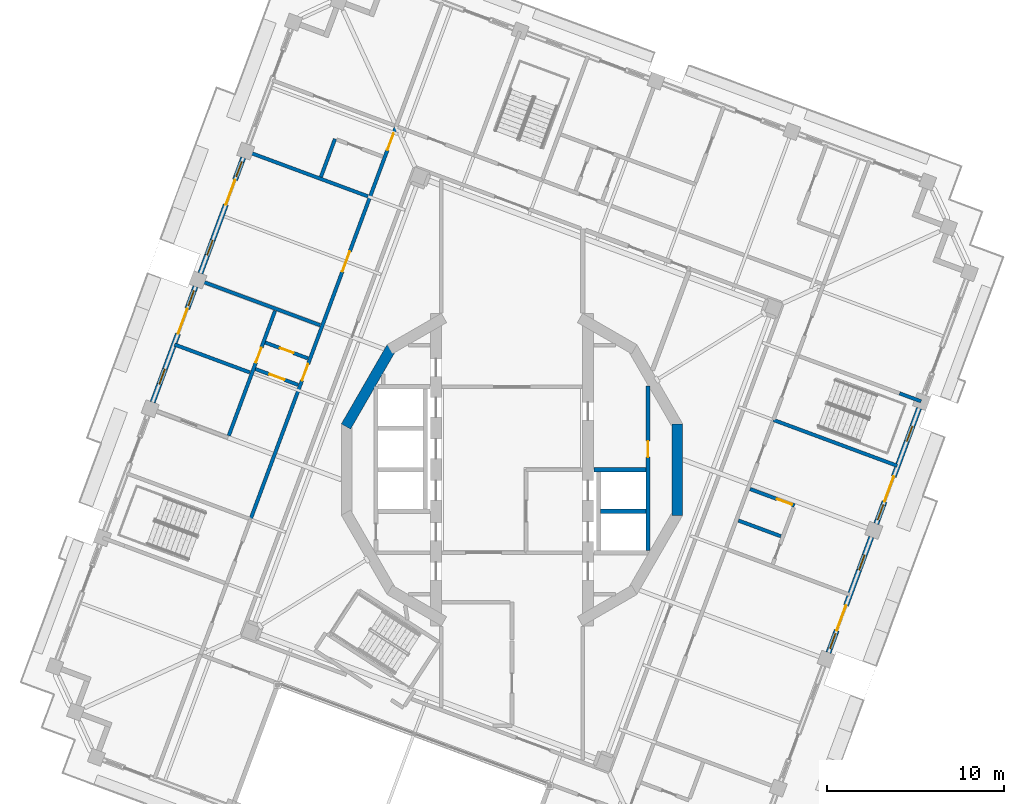
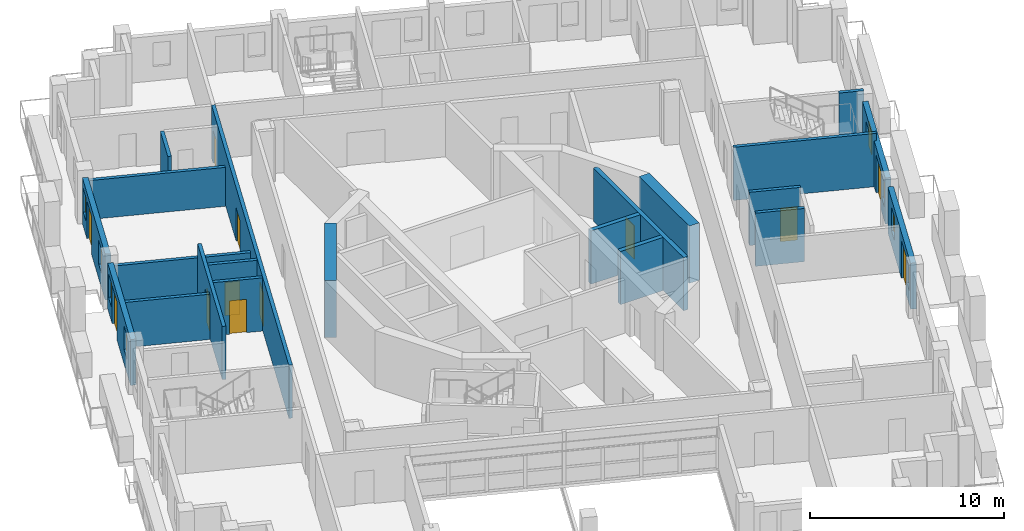
# One storey, part 8 of 19: 21 walls, 12 doors, 8 windows, 20 openings.
"""IFC4 building model written with IfcOpenShell, lengths in metres."""

import ifcopenshell
import ifcopenshell.guid

model = None  # the IFC model being written
_history = None  # IfcOwnerHistory: only IFC2X3 demands one
_inside = {}  # id of a spatial element -> (the spatial element, [elements in it])
_under = {}  # id of a project, library or spatial element -> (it, [spatial elements below it])
_declared = {}  # id of a project -> (the project, [libraries it declares])
_typed = {}  # id of a type object -> (the type object, [elements of that type])
_made_of = {}  # id of a material, layer set ... -> (it, [elements and type objects made of it])


def new_model(schema):
    """Start an empty IFC model of exactly this schema.

    Asked for "IFC4X3", IfcOpenShell would pick the latest addendum, in which some entities
    have other attributes; the version numbers below select the first issue.
    IFC2X3 requires an IfcOwnerHistory on every rooted entity: one is made here for all.
    """
    global model, _history
    if schema == "IFC4X3":
        model = ifcopenshell.file(schema_version=(4, 3, 0, 0))
    else:
        model = ifcopenshell.file(schema=schema)
    _inside.clear()
    _under.clear()
    _declared.clear()
    _typed.clear()
    _made_of.clear()
    _history = None
    if model.schema == "IFC2X3":
        org = make("IfcOrganization", Name="unknown")
        user = make(
            "IfcPersonAndOrganization",
            ThePerson=make("IfcPerson", FamilyName="unknown"),
            TheOrganization=org,
        )
        app = make(
            "IfcApplication",
            ApplicationDeveloper=org,
            Version="unknown",
            ApplicationFullName="unknown",
            ApplicationIdentifier="unknown",
        )
        _history = make(
            "IfcOwnerHistory",
            OwningUser=user,
            OwningApplication=app,
            ChangeAction="ADDED",
            CreationDate=0,
        )
    return model


def make(cls, **values):
    """One entity of the class cls with the attributes given. An attribute that is None is left unset."""
    return model.create_entity(
        cls, **{name: value for name, value in values.items() if value is not None}
    )


def rooted(cls, **values):
    """An entity with a GlobalId (a new one), such as an element, a storey or a relation."""
    return make(cls, GlobalId=ifcopenshell.guid.new(), OwnerHistory=_history, **values)


def si_unit(unit_type, name, prefix=None):
    """IfcSIUnit, for example si_unit("LENGTHUNIT", "METRE", prefix="MILLI")."""
    return make("IfcSIUnit", UnitType=unit_type, Prefix=prefix, Name=name)


def assignment(units):
    """IfcUnitAssignment: the units of a project."""
    return None if units is None else make("IfcUnitAssignment", Units=units)


def point(xyz):
    """IfcCartesianPoint."""
    return None if xyz is None else make("IfcCartesianPoint", Coordinates=xyz)


def direction(xyz):
    """IfcDirection."""
    return None if xyz is None else make("IfcDirection", DirectionRatios=xyz)


def frame(location, z_axis=None, x_axis=None):
    """IfcAxis2Placement3D, a coordinate frame: its origin and axes. An axis left out is left unset."""
    return make(
        "IfcAxis2Placement3D",
        Location=point(location),
        Axis=direction(z_axis),
        RefDirection=direction(x_axis),
    )


def frame_2d(location, x_axis=None):
    """IfcAxis2Placement2D, a coordinate frame in the plane: its origin and x axis."""
    return make(
        "IfcAxis2Placement2D", Location=point(location), RefDirection=direction(x_axis)
    )


def origin():
    """The frame at (0, 0, 0) with its axes left unset."""
    return frame((0.0, 0.0, 0.0))


def place(relative_to, where):
    """IfcLocalPlacement: puts the frame where relative to a parent placement (None: the world)."""
    return make(
        "IfcLocalPlacement", PlacementRelTo=relative_to, RelativePlacement=where
    )


def context(
    kind, dimensions, precision=None, world=None, true_north=None, identifier=None
):
    """IfcGeometricRepresentationContext, for example the 3D "Model" context."""
    return make(
        "IfcGeometricRepresentationContext",
        ContextIdentifier=identifier,
        ContextType=kind,
        CoordinateSpaceDimension=dimensions,
        Precision=precision,
        WorldCoordinateSystem=world,
        TrueNorth=true_north,
    )


def subcontext(parent, identifier, kind, view, scale=None):
    """IfcGeometricRepresentationSubContext, for example "Body" below "Model"."""
    return make(
        "IfcGeometricRepresentationSubContext",
        ContextIdentifier=identifier,
        ContextType=kind,
        ParentContext=parent,
        TargetScale=scale,
        TargetView=view,
    )


def project(units=None, contexts=None):
    """IfcProject with its units and contexts."""
    return rooted(
        "IfcProject",
        Name="project",
        RepresentationContexts=contexts,
        UnitsInContext=assignment(units),
    )


def spatial(cls, under=None, at=None, **own):
    """A site, building, storey or space (cls), placed at a placement, below another one or the project."""
    s = rooted(cls, ObjectPlacement=at, **own)
    if under is not None:
        _under.setdefault(under.id(), (under, []))[1].append(s)
    return s


def profile(cls, at=None, kind="AREA", **sizes):
    """A parametric profile (cls). Its sizes go by their IFC names, for example OverallWidth=200.0."""
    return make(cls, ProfileType=kind, Position=at, **sizes)


def rectangle(**sizes):
    """IfcRectangleProfileDef."""
    return profile("IfcRectangleProfileDef", **sizes)


def extrude(swept, where, along, depth):
    """IfcExtrudedAreaSolid: the profile swept, set in the frame where, extruded along a direction by depth."""
    return make(
        "IfcExtrudedAreaSolid",
        SweptArea=swept,
        Position=where,
        ExtrudedDirection=direction(along),
        Depth=depth,
    )


def shape(context_of_items, identifier, shape_type, items):
    """IfcShapeRepresentation: the items that make up one representation, for example the "Body"."""
    return make(
        "IfcShapeRepresentation",
        ContextOfItems=context_of_items,
        RepresentationIdentifier=identifier,
        RepresentationType=shape_type,
        Items=items,
    )


def material(Name=None, Category=None):
    """IfcMaterial."""
    return make("IfcMaterial", Name=Name, Category=Category)


def layer(
    of_material, thickness, ventilated=None, Name=None, Category=None, Priority=None
):
    """IfcMaterialLayer: one layer of a wall or slab, of a material (None: an air gap)."""
    return make(
        "IfcMaterialLayer",
        Material=of_material,
        LayerThickness=thickness,
        IsVentilated=ventilated,
        Name=Name,
        Category=Category,
        Priority=Priority,
    )


def layer_set(layers, Name=None):
    """IfcMaterialLayerSet."""
    return make("IfcMaterialLayerSet", MaterialLayers=layers, LayerSetName=Name)


def made_of(thing, what):
    """Note that an element or type object is made of a material, layer set ...; save() writes the relation."""
    if what is not None:
        _made_of.setdefault(what.id(), (what, []))[1].append(thing)
    return thing


def type_object(cls, material=None, **own):
    """A type object (cls), such as IfcWallType, which elements share."""
    return made_of(rooted(cls, **own), material)


def element(
    cls,
    number,
    at=None,
    inside=None,
    cuts=None,
    type_object=None,
    material=None,
    context=None,
    identifier="Body",
    shape_type=None,
    held_by="IfcProductDefinitionShape",
    body=None,
    shapes=None,
    **own,
):
    """One element of the class cls, such as IfcWall. Its Tag is "e" and its number.

    at: its placement. inside: the storey or other place that contains it. cuts: it is an
    opening in that element (IfcRelVoidsElement). A single representation is given by context,
    identifier, shape_type and body (its items); several are given by shapes. held_by: the class
    of the entity that holds the representations. save() writes the other relations.
    """
    e = rooted(cls, Tag="e%d" % number, ObjectPlacement=at, **own)
    if body is not None:
        shapes = [shape(context, identifier, shape_type, body)]
    if shapes is not None:
        e.Representation = make(held_by, Representations=shapes)
    if inside is not None:
        _inside.setdefault(inside.id(), (inside, []))[1].append(e)
    if cuts is not None:
        rooted(
            "IfcRelVoidsElement", RelatingBuildingElement=cuts, RelatedOpeningElement=e
        )
    if type_object is not None:
        _typed.setdefault(type_object.id(), (type_object, []))[1].append(e)
    return made_of(e, material)


def fill(opening, filler):
    """IfcRelFillsElement: the door or window that sits in an opening."""
    return rooted(
        "IfcRelFillsElement",
        RelatingOpeningElement=opening,
        RelatedBuildingElement=filler,
    )


def aggregate(whole, parts):
    """IfcRelAggregates: a whole, such as a stair, and the parts it consists of."""
    return rooted("IfcRelAggregates", RelatingObject=whole, RelatedObjects=parts)


def save(model, path):
    """Write the relations noted so far, then the file.

    IfcRelAggregates (storeys below a building ...), IfcRelContainedInSpatialStructure (elements
    in a storey), IfcRelDefinesByType, IfcRelAssociatesMaterial and IfcRelDeclares: one each for
    every whole, place, type object, material and project.
    """
    for whole, parts in _under.values():
        aggregate(whole, parts)
    for where, things in _inside.values():
        rooted(
            "IfcRelContainedInSpatialStructure",
            RelatedElements=things,
            RelatingStructure=where,
        )
    for kind, things in _typed.values():
        rooted("IfcRelDefinesByType", RelatedObjects=things, RelatingType=kind)
    for what, things in _made_of.values():
        rooted("IfcRelAssociatesMaterial", RelatedObjects=things, RelatingMaterial=what)
    for by, libraries in _declared.values():
        rooted("IfcRelDeclares", RelatingContext=by, RelatedDefinitions=libraries)
    model.write(path)


model = new_model("IFC4")

# Units and contexts
model_context = context("Model", 3, precision=1e-05, world=origin(), true_north=direction((0.0, 1.0)))
body_context = subcontext(model_context, "Body", "Model", "MODEL_VIEW")
ifc_project = project(units=[si_unit("LENGTHUNIT", "METRE"), si_unit("AREAUNIT", "SQUARE_METRE"), si_unit("VOLUMEUNIT", "CUBIC_METRE"), si_unit("PLANEANGLEUNIT", "RADIAN"), si_unit("MASSUNIT", "GRAM", prefix="KILO")], contexts=[model_context])

# Site, building, storey
site_placement = place(None, origin())
site = spatial("IfcSite", under=ifc_project, at=site_placement, CompositionType="ELEMENT")
building_placement = place(site_placement, origin())
building = spatial("IfcBuilding", under=site, at=building_placement, Name="Cantera Rosa Tower", CompositionType="ELEMENT")
storey_placement = place(building_placement, frame((0.0, 0.0, 320.5)))
storey = spatial("IfcBuildingStorey", under=building, at=storey_placement, Name="L71", CompositionType="ELEMENT", Elevation=320.5)

# Wall, openings, doors
ifc_material_1 = material(Name="Gypsum board partition")
ifc_layer_1 = layer(ifc_material_1, 0.199951171875)
ifc_layer_set_1 = layer_set([ifc_layer_1], Name="CORRIDOR WALL 200 H3350")
wall_type_1 = type_object("IfcWallType", Name="CORRIDOR WALL 200 H3350", PredefinedType="PARTITIONING", material=ifc_layer_set_1)
wall_1_placement = place(storey_placement, frame((-6.5537109375, 19.438720703125, 0.0), z_axis=(0.0, 0.0, 1.0), x_axis=(-0.347483565428, -0.937686073138, 0.0)))
wall_1 = element("IfcWall", 1, at=wall_1_placement, inside=storey, type_object=wall_type_1, Name="CORRIDOR WALL L71-035", PredefinedType="PARTITIONING", context=body_context, shape_type="SweptSolid", body=[
    extrude(rectangle(XDim=23.730224609375, YDim=0.199951171875, at=frame_2d((11.865234375, 0.0))), origin(), (0.0, 0.0, 1.0), 3.35009765625),
])
opening_1_placement = place(wall_1_placement, frame((7.570068359375, 0.0, 0.0)))
opening_1 = element("IfcOpeningElement", 2, at=opening_1_placement, cuts=wall_1, Name="Opening L71-027", PredefinedType="OPENING", context=body_context, shape_type="SweptSolid", body=[
    extrude(rectangle(XDim=1.199951171875, YDim=2.10009765625, at=frame_2d((0.60009765625, 1.050048828125))), frame((0.0, 0.10986328125, 0.0), z_axis=(0.0, -1.0, 0.0), x_axis=(1.0, 0.0, 0.0)), (0.0, 0.0, 1.0), 0.219970703125),
])
opening_2_placement = place(wall_1_placement, frame((14.360107421875, 0.0, 0.0)))
opening_2 = element("IfcOpeningElement", 3, at=opening_2_placement, cuts=wall_1, Name="Opening L71-028", PredefinedType="OPENING", context=body_context, shape_type="SweptSolid", body=[
    extrude(rectangle(XDim=1.0, YDim=2.10009765625, at=frame_2d((0.5, 1.050048828125))), frame((0.0, 0.10986328125, 0.0), z_axis=(0.0, -1.0, 0.0), x_axis=(1.0, 0.0, 0.0)), (0.0, 0.0, 1.0), 0.219970703125),
])
opening_3_placement = place(wall_1_placement, frame((0.43994140625, 0.0, 0.0)))
opening_3 = element("IfcOpeningElement", 4, at=opening_3_placement, cuts=wall_1, Name="Opening L71-033", PredefinedType="OPENING", context=body_context, shape_type="SweptSolid", body=[
    extrude(rectangle(XDim=1.0, YDim=2.10009765625, at=frame_2d((0.5, 1.050048828125))), frame((0.0, 0.10986328125, 0.0), z_axis=(0.0, -1.0, 0.0), x_axis=(1.0, 0.0, 0.0)), (0.0, 0.0, 1.0), 0.219970703125),
])
ifc_material_2 = material(Name="Timber door leaf", Category="wood")
door_type_1 = type_object("IfcDoorType", Name="ENTRANCE DOOR 1000x2100", OperationType="NOTDEFINED", PredefinedType="DOOR", material=ifc_material_2)
door_1_placement = place(opening_2_placement, origin())
door_1 = element("IfcDoor", 5, at=door_1_placement, inside=storey, type_object=door_type_1, Name="DOOR L71-028", OperationType="NOTDEFINED", OverallHeight=2.10009765625, OverallWidth=1.0, PredefinedType="DOOR", context=body_context, shape_type="SweptSolid", body=[
    extrude(rectangle(XDim=1.0, YDim=2.10009765625, at=frame_2d((0.5, 1.050048828125))), frame((0.0, 0.02490234375, 0.0), z_axis=(0.0, -1.0, 0.0), x_axis=(1.0, 0.0, 0.0)), (0.0, 0.0, 1.0), 0.050048828125),
])
fill(opening_2, door_1)
door_2_placement = place(opening_3_placement, origin())
door_2 = element("IfcDoor", 6, at=door_2_placement, inside=storey, type_object=door_type_1, Name="DOOR L71-033", OperationType="NOTDEFINED", OverallHeight=2.10009765625, OverallWidth=1.0, PredefinedType="DOOR", context=body_context, shape_type="SweptSolid", body=[
    extrude(rectangle(XDim=1.0, YDim=2.10009765625, at=frame_2d((0.5, 1.050048828125))), frame((0.0, 0.02490234375, 0.0), z_axis=(0.0, -1.0, 0.0), x_axis=(1.0, 0.0, 0.0)), (0.0, 0.0, 1.0), 0.050048828125),
])
fill(opening_3, door_2)
ifc_material_3 = material(Name="Timber door leaf", Category="wood")
door_type_2 = type_object("IfcDoorType", Name="ROOM DOOR 1200x2100", OperationType="NOTDEFINED", PredefinedType="DOOR", material=ifc_material_3)
door_3_placement = place(opening_1_placement, origin())
door_3 = element("IfcDoor", 7, at=door_3_placement, inside=storey, type_object=door_type_2, Name="DOOR L71-027", OperationType="NOTDEFINED", OverallHeight=2.10009765625, OverallWidth=1.199951171875, PredefinedType="DOOR", context=body_context, shape_type="SweptSolid", body=[
    extrude(rectangle(XDim=1.199951171875, YDim=2.10009765625, at=frame_2d((0.60009765625, 1.050048828125))), frame((0.0, 0.02490234375, 0.0), z_axis=(0.0, -1.0, 0.0), x_axis=(1.0, 0.0, 0.0)), (0.0, 0.0, 1.0), 0.050048828125),
])
fill(opening_1, door_3)

# Wall, openings, windows, door
ifc_material_4 = material(Name="Hollow clay masonry with cantera stone cladding", Category="masonry")
ifc_layer_2 = layer(ifc_material_4, 0.300048828125)
ifc_layer_set_2 = layer_set([ifc_layer_2], Name="EW-LOGGIA 300 H2890")
wall_type_2 = type_object("IfcWallType", Name="EW-LOGGIA 300 H2890", PredefinedType="SOLIDWALL", material=ifc_layer_set_2)
wall_2_placement = place(storey_placement, frame((-15.212646484375, 17.65625, 0.0), z_axis=(0.0, 0.0, 1.0), x_axis=(-0.347502316452, -0.937679124253, 0.0)))
wall_2 = element("IfcWall", 8, at=wall_2_placement, inside=storey, type_object=wall_type_2, Name="EN-L71-W08", PredefinedType="SOLIDWALL", context=body_context, shape_type="SweptSolid", body=[
    extrude(rectangle(XDim=6.97998046875, YDim=0.300048828125, at=frame_2d((3.489990234375, 0.0))), origin(), (0.0, 0.0, 1.0), 2.889892578125),
])
opening_4_placement = place(wall_2_placement, frame((0.2451171875, 0.0, 0.89990234375)))
opening_4 = element("IfcOpeningElement", 9, at=opening_4_placement, cuts=wall_2, Name="Opening L71-W16", PredefinedType="OPENING", context=body_context, shape_type="SweptSolid", body=[
    extrude(rectangle(XDim=0.89990234375, YDim=1.5, at=frame_2d((0.449951171875, 0.75))), frame((0.0, 0.159912109375, 0.0), z_axis=(0.0, -1.0, 0.0), x_axis=(1.0, 0.0, 0.0)), (0.0, 0.0, 1.0), 0.320068359375),
])
opening_5_placement = place(wall_2_placement, frame((1.344970703125, 0.0, 0.0)))
opening_5 = element("IfcOpeningElement", 10, at=opening_5_placement, cuts=wall_2, Name="Opening L71-TD17", PredefinedType="OPENING", context=body_context, shape_type="SweptSolid", body=[
    extrude(rectangle(XDim=1.5, YDim=2.39990234375, at=frame_2d((0.75, 1.199951171875))), frame((0.0, 0.159912109375, 0.0), z_axis=(0.0, -1.0, 0.0), x_axis=(1.0, 0.0, 0.0)), (0.0, 0.0, 1.0), 0.320068359375),
])
opening_6_placement = place(wall_2_placement, frame((4.985107421875, 0.0, 0.89990234375)))
opening_6 = element("IfcOpeningElement", 11, at=opening_6_placement, cuts=wall_2, Name="Opening L71-W18", PredefinedType="OPENING", context=body_context, shape_type="SweptSolid", body=[
    extrude(rectangle(XDim=0.89990234375, YDim=1.5, at=frame_2d((0.449951171875, 0.75))), frame((0.0, 0.159912109375, 0.0), z_axis=(0.0, -1.0, 0.0), x_axis=(1.0, 0.0, 0.0)), (0.0, 0.0, 1.0), 0.320068359375),
])
ifc_material_5 = material(Name="Aluminium frame with clear glass", Category="aluminium")
window_type = type_object("IfcWindowType", Name="Residential window 900x1500", PartitioningType="SINGLE_PANEL", PredefinedType="WINDOW", material=ifc_material_5)
window_1_placement = place(opening_4_placement, origin())
window_1 = element("IfcWindow", 12, at=window_1_placement, inside=storey, type_object=window_type, Name="WINDOW L71-W16", OverallHeight=1.5, OverallWidth=0.89990234375, PartitioningType="SINGLE_PANEL", PredefinedType="WINDOW", context=body_context, shape_type="SweptSolid", body=[
    extrude(rectangle(XDim=0.89990234375, YDim=1.5, at=frame_2d((0.449951171875, 0.75))), frame((0.0, 0.030029296875, 0.0), z_axis=(0.0, -1.0, 0.0), x_axis=(1.0, 0.0, 0.0)), (0.0, 0.0, 1.0), 0.06005859375),
])
fill(opening_4, window_1)
window_2_placement = place(opening_6_placement, origin())
window_2 = element("IfcWindow", 13, at=window_2_placement, inside=storey, type_object=window_type, Name="WINDOW L71-W18", OverallHeight=1.5, OverallWidth=0.89990234375, PartitioningType="SINGLE_PANEL", PredefinedType="WINDOW", context=body_context, shape_type="SweptSolid", body=[
    extrude(rectangle(XDim=0.89990234375, YDim=1.5, at=frame_2d((0.449951171875, 0.75))), frame((0.0, 0.030029296875, 0.0), z_axis=(0.0, -1.0, 0.0), x_axis=(1.0, 0.0, 0.0)), (0.0, 0.0, 1.0), 0.06005859375),
])
fill(opening_6, window_2)
ifc_material_6 = material(Name="Aluminium frame with clear glass", Category="aluminium")
door_type_3 = type_object("IfcDoorType", Name="TD-R 1500x2400", OperationType="NOTDEFINED", PredefinedType="DOOR", material=ifc_material_6)
door_4_placement = place(opening_5_placement, origin())
door_4 = element("IfcDoor", 14, at=door_4_placement, inside=storey, type_object=door_type_3, Name="LOGGIA DOOR L71-TD17", OperationType="SLIDING_TO_LEFT", OverallHeight=2.39990234375, OverallWidth=1.5, PredefinedType="DOOR", context=body_context, shape_type="SweptSolid", body=[
    extrude(rectangle(XDim=1.5, YDim=2.39990234375, at=frame_2d((0.75, 1.199951171875))), frame((0.0, 0.02490234375, 0.0), z_axis=(0.0, -1.0, 0.0), x_axis=(1.0, 0.0, 0.0)), (0.0, 0.0, 1.0), 0.050048828125),
])
fill(opening_5, door_4)

wall_3_placement = place(storey_placement, frame((-17.916015625, 10.361083984375, 0.0), z_axis=(0.0, 0.0, 1.0), x_axis=(-0.347502316452, -0.937679124253, 0.0)))
wall_3 = element("IfcWall", 15, at=wall_3_placement, inside=storey, type_object=wall_type_2, Name="EN-L71-W09", PredefinedType="SOLIDWALL", context=body_context, shape_type="SweptSolid", body=[
    extrude(rectangle(XDim=6.97998046875, YDim=0.300048828125, at=frame_2d((3.489990234375, 0.0))), origin(), (0.0, 0.0, 1.0), 2.889892578125),
])
opening_7_placement = place(wall_3_placement, frame((0.2451171875, 0.0, 0.89990234375)))
opening_7 = element("IfcOpeningElement", 16, at=opening_7_placement, cuts=wall_3, Name="Opening L71-W19", PredefinedType="OPENING", context=body_context, shape_type="SweptSolid", body=[
    extrude(rectangle(XDim=0.89990234375, YDim=1.5, at=frame_2d((0.449951171875, 0.75))), frame((0.0, 0.159912109375, 0.0), z_axis=(0.0, -1.0, 0.0), x_axis=(1.0, 0.0, 0.0)), (0.0, 0.0, 1.0), 0.320068359375),
])
opening_8_placement = place(wall_3_placement, frame((1.344970703125, 0.0, 0.0)))
opening_8 = element("IfcOpeningElement", 17, at=opening_8_placement, cuts=wall_3, Name="Opening L71-TD20", PredefinedType="OPENING", context=body_context, shape_type="SweptSolid", body=[
    extrude(rectangle(XDim=1.5, YDim=2.39990234375, at=frame_2d((0.75, 1.199951171875))), frame((0.0, 0.159912109375, 0.0), z_axis=(0.0, -1.0, 0.0), x_axis=(1.0, 0.0, 0.0)), (0.0, 0.0, 1.0), 0.320068359375),
])
opening_9_placement = place(wall_3_placement, frame((4.985107421875, 0.0, 0.89990234375)))
opening_9 = element("IfcOpeningElement", 18, at=opening_9_placement, cuts=wall_3, Name="Opening L71-W21", PredefinedType="OPENING", context=body_context, shape_type="SweptSolid", body=[
    extrude(rectangle(XDim=0.89990234375, YDim=1.5, at=frame_2d((0.449951171875, 0.75))), frame((0.0, 0.159912109375, 0.0), z_axis=(0.0, -1.0, 0.0), x_axis=(1.0, 0.0, 0.0)), (0.0, 0.0, 1.0), 0.320068359375),
])
window_3_placement = place(opening_7_placement, origin())
window_3 = element("IfcWindow", 19, at=window_3_placement, inside=storey, type_object=window_type, Name="WINDOW L71-W19", OverallHeight=1.5, OverallWidth=0.89990234375, PartitioningType="SINGLE_PANEL", PredefinedType="WINDOW", context=body_context, shape_type="SweptSolid", body=[
    extrude(rectangle(XDim=0.89990234375, YDim=1.5, at=frame_2d((0.449951171875, 0.75))), frame((0.0, 0.030029296875, 0.0), z_axis=(0.0, -1.0, 0.0), x_axis=(1.0, 0.0, 0.0)), (0.0, 0.0, 1.0), 0.06005859375),
])
fill(opening_7, window_3)
window_4_placement = place(opening_9_placement, origin())
window_4 = element("IfcWindow", 20, at=window_4_placement, inside=storey, type_object=window_type, Name="WINDOW L71-W21", OverallHeight=1.5, OverallWidth=0.89990234375, PartitioningType="SINGLE_PANEL", PredefinedType="WINDOW", context=body_context, shape_type="SweptSolid", body=[
    extrude(rectangle(XDim=0.89990234375, YDim=1.5, at=frame_2d((0.449951171875, 0.75))), frame((0.0, 0.030029296875, 0.0), z_axis=(0.0, -1.0, 0.0), x_axis=(1.0, 0.0, 0.0)), (0.0, 0.0, 1.0), 0.06005859375),
])
fill(opening_9, window_4)
door_5_placement = place(opening_8_placement, origin())
door_5 = element("IfcDoor", 21, at=door_5_placement, inside=storey, type_object=door_type_3, Name="LOGGIA DOOR L71-TD20", OperationType="SLIDING_TO_LEFT", OverallHeight=2.39990234375, OverallWidth=1.5, PredefinedType="DOOR", context=body_context, shape_type="SweptSolid", body=[
    extrude(rectangle(XDim=1.5, YDim=2.39990234375, at=frame_2d((0.75, 1.199951171875))), frame((0.0, 0.02490234375, 0.0), z_axis=(0.0, -1.0, 0.0), x_axis=(1.0, 0.0, 0.0)), (0.0, 0.0, 1.0), 0.050048828125),
])
fill(opening_8, door_5)

wall_4_placement = place(storey_placement, frame((17.916015625, -10.361083984375, 0.0), z_axis=(0.0, 0.0, 1.0), x_axis=(0.347502316452, 0.937679124253, 0.0)))
wall_4 = element("IfcWall", 22, at=wall_4_placement, inside=storey, type_object=wall_type_2, Name="EN-L71-W22", PredefinedType="SOLIDWALL", context=body_context, shape_type="SweptSolid", body=[
    extrude(rectangle(XDim=6.97998046875, YDim=0.300048828125, at=frame_2d((3.489990234375, 0.0))), origin(), (0.0, 0.0, 1.0), 2.889892578125),
])
opening_10_placement = place(wall_4_placement, frame((0.2451171875, 0.0, 0.89990234375)))
opening_10 = element("IfcOpeningElement", 23, at=opening_10_placement, cuts=wall_4, Name="Opening L71-W40", PredefinedType="OPENING", context=body_context, shape_type="SweptSolid", body=[
    extrude(rectangle(XDim=0.89990234375, YDim=1.5, at=frame_2d((0.449951171875, 0.75))), frame((0.0, 0.159912109375, 0.0), z_axis=(0.0, -1.0, 0.0), x_axis=(1.0, 0.0, 0.0)), (0.0, 0.0, 1.0), 0.320068359375),
])
opening_11_placement = place(wall_4_placement, frame((1.344970703125, 0.0, 0.0)))
opening_11 = element("IfcOpeningElement", 24, at=opening_11_placement, cuts=wall_4, Name="Opening L71-TD41", PredefinedType="OPENING", context=body_context, shape_type="SweptSolid", body=[
    extrude(rectangle(XDim=1.5, YDim=2.39990234375, at=frame_2d((0.75, 1.199951171875))), frame((0.0, 0.159912109375, 0.0), z_axis=(0.0, -1.0, 0.0), x_axis=(1.0, 0.0, 0.0)), (0.0, 0.0, 1.0), 0.320068359375),
])
opening_12_placement = place(wall_4_placement, frame((4.985107421875, 0.0, 0.89990234375)))
opening_12 = element("IfcOpeningElement", 25, at=opening_12_placement, cuts=wall_4, Name="Opening L71-W42", PredefinedType="OPENING", context=body_context, shape_type="SweptSolid", body=[
    extrude(rectangle(XDim=0.89990234375, YDim=1.5, at=frame_2d((0.449951171875, 0.75))), frame((0.0, 0.159912109375, 0.0), z_axis=(0.0, -1.0, 0.0), x_axis=(1.0, 0.0, 0.0)), (0.0, 0.0, 1.0), 0.320068359375),
])
window_5_placement = place(opening_10_placement, origin())
window_5 = element("IfcWindow", 26, at=window_5_placement, inside=storey, type_object=window_type, Name="WINDOW L71-W40", OverallHeight=1.5, OverallWidth=0.89990234375, PartitioningType="SINGLE_PANEL", PredefinedType="WINDOW", context=body_context, shape_type="SweptSolid", body=[
    extrude(rectangle(XDim=0.89990234375, YDim=1.5, at=frame_2d((0.449951171875, 0.75))), frame((0.0, 0.030029296875, 0.0), z_axis=(0.0, -1.0, 0.0), x_axis=(1.0, 0.0, 0.0)), (0.0, 0.0, 1.0), 0.06005859375),
])
fill(opening_10, window_5)
window_6_placement = place(opening_12_placement, origin())
window_6 = element("IfcWindow", 27, at=window_6_placement, inside=storey, type_object=window_type, Name="WINDOW L71-W42", OverallHeight=1.5, OverallWidth=0.89990234375, PartitioningType="SINGLE_PANEL", PredefinedType="WINDOW", context=body_context, shape_type="SweptSolid", body=[
    extrude(rectangle(XDim=0.89990234375, YDim=1.5, at=frame_2d((0.449951171875, 0.75))), frame((0.0, 0.030029296875, 0.0), z_axis=(0.0, -1.0, 0.0), x_axis=(1.0, 0.0, 0.0)), (0.0, 0.0, 1.0), 0.06005859375),
])
fill(opening_12, window_6)
door_6_placement = place(opening_11_placement, origin())
door_6 = element("IfcDoor", 28, at=door_6_placement, inside=storey, type_object=door_type_3, Name="LOGGIA DOOR L71-TD41", OperationType="SLIDING_TO_LEFT", OverallHeight=2.39990234375, OverallWidth=1.5, PredefinedType="DOOR", context=body_context, shape_type="SweptSolid", body=[
    extrude(rectangle(XDim=1.5, YDim=2.39990234375, at=frame_2d((0.75, 1.199951171875))), frame((0.0, 0.02490234375, 0.0), z_axis=(0.0, -1.0, 0.0), x_axis=(1.0, 0.0, 0.0)), (0.0, 0.0, 1.0), 0.050048828125),
])
fill(opening_11, door_6)

wall_5_placement = place(storey_placement, frame((20.61962890625, -3.06591796875, 0.0), z_axis=(0.0, 0.0, 1.0), x_axis=(0.347471562124, 0.937690521182, 0.0)))
wall_5 = element("IfcWall", 29, at=wall_5_placement, inside=storey, type_object=wall_type_2, Name="EN-L71-W23", PredefinedType="SOLIDWALL", context=body_context, shape_type="SweptSolid", body=[
    extrude(rectangle(XDim=6.979736328125, YDim=0.300048828125, at=frame_2d((3.48974609375, 0.0))), origin(), (0.0, 0.0, 1.0), 2.889892578125),
])
opening_13_placement = place(wall_5_placement, frame((0.2451171875, 0.0, 0.89990234375)))
opening_13 = element("IfcOpeningElement", 30, at=opening_13_placement, cuts=wall_5, Name="Opening L71-W43", PredefinedType="OPENING", context=body_context, shape_type="SweptSolid", body=[
    extrude(rectangle(XDim=0.89990234375, YDim=1.5, at=frame_2d((0.449951171875, 0.75))), frame((0.0, 0.159912109375, 0.0), z_axis=(0.0, -1.0, 0.0), x_axis=(1.0, 0.0, 0.0)), (0.0, 0.0, 1.0), 0.320068359375),
])
opening_14_placement = place(wall_5_placement, frame((1.344970703125, 0.0, 0.0)))
opening_14 = element("IfcOpeningElement", 31, at=opening_14_placement, cuts=wall_5, Name="Opening L71-TD44", PredefinedType="OPENING", context=body_context, shape_type="SweptSolid", body=[
    extrude(rectangle(XDim=1.5, YDim=2.39990234375, at=frame_2d((0.75, 1.199951171875))), frame((0.0, 0.159912109375, 0.0), z_axis=(0.0, -1.0, 0.0), x_axis=(1.0, 0.0, 0.0)), (0.0, 0.0, 1.0), 0.320068359375),
])
opening_15_placement = place(wall_5_placement, frame((4.985107421875, 0.0, 0.89990234375)))
opening_15 = element("IfcOpeningElement", 32, at=opening_15_placement, cuts=wall_5, Name="Opening L71-W45", PredefinedType="OPENING", context=body_context, shape_type="SweptSolid", body=[
    extrude(rectangle(XDim=0.89990234375, YDim=1.5, at=frame_2d((0.449951171875, 0.75))), frame((0.0, 0.159912109375, 0.0), z_axis=(0.0, -1.0, 0.0), x_axis=(1.0, 0.0, 0.0)), (0.0, 0.0, 1.0), 0.320068359375),
])
window_7_placement = place(opening_13_placement, origin())
window_7 = element("IfcWindow", 33, at=window_7_placement, inside=storey, type_object=window_type, Name="WINDOW L71-W43", OverallHeight=1.5, OverallWidth=0.89990234375, PartitioningType="SINGLE_PANEL", PredefinedType="WINDOW", context=body_context, shape_type="SweptSolid", body=[
    extrude(rectangle(XDim=0.89990234375, YDim=1.5, at=frame_2d((0.449951171875, 0.75))), frame((0.0, 0.030029296875, 0.0), z_axis=(0.0, -1.0, 0.0), x_axis=(1.0, 0.0, 0.0)), (0.0, 0.0, 1.0), 0.06005859375),
])
fill(opening_13, window_7)
window_8_placement = place(opening_15_placement, origin())
window_8 = element("IfcWindow", 34, at=window_8_placement, inside=storey, type_object=window_type, Name="WINDOW L71-W45", OverallHeight=1.5, OverallWidth=0.89990234375, PartitioningType="SINGLE_PANEL", PredefinedType="WINDOW", context=body_context, shape_type="SweptSolid", body=[
    extrude(rectangle(XDim=0.89990234375, YDim=1.5, at=frame_2d((0.449951171875, 0.75))), frame((0.0, 0.030029296875, 0.0), z_axis=(0.0, -1.0, 0.0), x_axis=(1.0, 0.0, 0.0)), (0.0, 0.0, 1.0), 0.06005859375),
])
fill(opening_15, window_8)
door_7_placement = place(opening_14_placement, origin())
door_7 = element("IfcDoor", 35, at=door_7_placement, inside=storey, type_object=door_type_3, Name="LOGGIA DOOR L71-TD44", OperationType="SLIDING_TO_LEFT", OverallHeight=2.39990234375, OverallWidth=1.5, PredefinedType="DOOR", context=body_context, shape_type="SweptSolid", body=[
    extrude(rectangle(XDim=1.5, YDim=2.39990234375, at=frame_2d((0.75, 1.199951171875))), frame((0.0, 0.02490234375, 0.0), z_axis=(0.0, -1.0, 0.0), x_axis=(1.0, 0.0, 0.0)), (0.0, 0.0, 1.0), 0.050048828125),
])
fill(opening_14, door_7)

# Wall
ifc_material_7 = material(Name="Gypsum board partition")
ifc_layer_3 = layer(ifc_material_7, 0.199951171875)
ifc_layer_set_3 = layer_set([ifc_layer_3], Name="PARTITION 200 H2850")
wall_type_3 = type_object("IfcWallType", Name="PARTITION 200 H2850", PredefinedType="PARTITIONING", material=ifc_layer_set_3)
wall_6_placement = place(storey_placement, frame((-14.834228515625, 5.497314453125, 0.0), z_axis=(0.0, 0.0, 1.0), x_axis=(-0.937700205551, 0.347445426663, 0.0)))
element("IfcWall", 36, at=wall_6_placement, inside=storey, type_object=wall_type_3, Name="PARTITION L71-012", PredefinedType="PARTITIONING", context=body_context, shape_type="SweptSolid", body=[
    extrude(rectangle(XDim=4.5498046875, YDim=0.199951171875, at=frame_2d((2.27490234375, 0.0))), origin(), (0.0, 0.0, 1.0), 2.85009765625),
])

# Wall, opening, door
ifc_material_8 = material(Name="Gypsum board partition")
ifc_layer_4 = layer(ifc_material_8, 0.199951171875)
ifc_layer_set_4 = layer_set([ifc_layer_4], Name="PARTITION 200 H3350")
wall_type_4 = type_object("IfcWallType", Name="PARTITION 200 H3350", PredefinedType="PARTITIONING", material=ifc_layer_set_4)
wall_7_placement = place(storey_placement, frame((-13.41162109375, 8.990478515625, 0.0), z_axis=(0.0, 0.0, 1.0), x_axis=(-0.347497846583, -0.937680780767, 0.0)))
wall_7 = element("IfcWall", 37, at=wall_7_placement, inside=storey, type_object=wall_type_4, Name="PARTITION L71-015", PredefinedType="PARTITIONING", context=body_context, shape_type="SweptSolid", body=[
    extrude(rectangle(XDim=7.5400390625, YDim=0.199951171875, at=frame_2d((3.77001953125, 0.0))), origin(), (0.0, 0.0, 1.0), 3.35009765625),
])
opening_16_placement = place(wall_7_placement, frame((2.22998046875, 0.0, 0.0)))
opening_16 = element("IfcOpeningElement", 38, at=opening_16_placement, cuts=wall_7, Name="Opening L71-031", PredefinedType="OPENING", context=body_context, shape_type="SweptSolid", body=[
    extrude(rectangle(XDim=0.89990234375, YDim=2.10009765625, at=frame_2d((0.449951171875, 1.050048828125))), frame((0.0, 0.10986328125, 0.0), z_axis=(0.0, -1.0, 0.0), x_axis=(1.0, 0.0, 0.0)), (0.0, 0.0, 1.0), 0.219970703125),
])
ifc_material_9 = material(Name="Timber door leaf", Category="wood")
door_type_4 = type_object("IfcDoorType", Name="ROOM DOOR 900x2100", OperationType="NOTDEFINED", PredefinedType="DOOR", material=ifc_material_9)
door_8_placement = place(opening_16_placement, origin())
door_8 = element("IfcDoor", 39, at=door_8_placement, inside=storey, type_object=door_type_4, Name="DOOR L71-031", OperationType="NOTDEFINED", OverallHeight=2.10009765625, OverallWidth=0.89990234375, PredefinedType="DOOR", context=body_context, shape_type="SweptSolid", body=[
    extrude(rectangle(XDim=0.89990234375, YDim=2.10009765625, at=frame_2d((0.449951171875, 1.050048828125))), frame((0.0, 0.02490234375, 0.0), z_axis=(0.0, -1.0, 0.0), x_axis=(1.0, 0.0, 0.0)), (0.0, 0.0, 1.0), 0.050048828125),
])
fill(opening_16, door_8)

wall_8_placement = place(storey_placement, frame((-12.10791015625, 4.796142578125, 0.0), z_axis=(0.0, 0.0, 1.0), x_axis=(-0.937687105286, 0.34748078016, 0.0)))
wall_8 = element("IfcWall", 40, at=wall_8_placement, inside=storey, type_object=wall_type_4, Name="PARTITION L71-017", PredefinedType="PARTITIONING", context=body_context, shape_type="SweptSolid", body=[
    extrude(rectangle(XDim=2.579833984375, YDim=0.199951171875, at=frame_2d((1.2900390625, 0.0))), origin(), (0.0, 0.0, 1.0), 3.35009765625),
])
opening_17_placement = place(wall_8_placement, frame((0.830078125, 0.0, 0.0)))
opening_17 = element("IfcOpeningElement", 41, at=opening_17_placement, cuts=wall_8, Name="Opening L71-030", PredefinedType="OPENING", context=body_context, shape_type="SweptSolid", body=[
    extrude(rectangle(XDim=0.89990234375, YDim=2.10009765625, at=frame_2d((0.449951171875, 1.050048828125))), frame((0.0, 0.10986328125, 0.0), z_axis=(0.0, -1.0, 0.0), x_axis=(1.0, 0.0, 0.0)), (0.0, 0.0, 1.0), 0.219970703125),
])
door_9_placement = place(opening_17_placement, origin())
door_9 = element("IfcDoor", 42, at=door_9_placement, inside=storey, type_object=door_type_4, Name="DOOR L71-030", OperationType="NOTDEFINED", OverallHeight=2.10009765625, OverallWidth=0.89990234375, PredefinedType="DOOR", context=body_context, shape_type="SweptSolid", body=[
    extrude(rectangle(XDim=0.89990234375, YDim=2.10009765625, at=frame_2d((0.449951171875, 1.050048828125))), frame((0.0, 0.02490234375, 0.0), z_axis=(0.0, -1.0, 0.0), x_axis=(1.0, 0.0, 0.0)), (0.0, 0.0, 1.0), 0.050048828125),
])
fill(opening_17, door_9)

wall_9_placement = place(storey_placement, frame((-11.552001953125, 6.29638671875, 0.0), z_axis=(0.0, 0.0, 1.0), x_axis=(-0.937687105286, 0.34748078016, 0.0)))
wall_9 = element("IfcWall", 43, at=wall_9_placement, inside=storey, type_object=wall_type_4, Name="PARTITION L71-018", PredefinedType="PARTITIONING", context=body_context, shape_type="SweptSolid", body=[
    extrude(rectangle(XDim=2.579833984375, YDim=0.199951171875, at=frame_2d((1.2900390625, 0.0))), origin(), (0.0, 0.0, 1.0), 3.35009765625),
])
opening_18_placement = place(wall_9_placement, frame((0.8798828125, 0.0, 0.0)))
opening_18 = element("IfcOpeningElement", 44, at=opening_18_placement, cuts=wall_9, Name="Opening L71-029", PredefinedType="OPENING", context=body_context, shape_type="SweptSolid", body=[
    extrude(rectangle(XDim=0.800048828125, YDim=2.10009765625, at=frame_2d((0.39990234375, 1.050048828125))), frame((0.0, 0.10986328125, 0.0), z_axis=(0.0, -1.0, 0.0), x_axis=(1.0, 0.0, 0.0)), (0.0, 0.0, 1.0), 0.219970703125),
])
ifc_material_10 = material(Name="Timber door leaf", Category="wood")
door_type_5 = type_object("IfcDoorType", Name="BATHROOM DOOR 800x2100", OperationType="NOTDEFINED", PredefinedType="DOOR", material=ifc_material_10)
door_10_placement = place(opening_18_placement, origin())
door_10 = element("IfcDoor", 45, at=door_10_placement, inside=storey, type_object=door_type_5, Name="DOOR L71-029", OperationType="NOTDEFINED", OverallHeight=2.10009765625, OverallWidth=0.800048828125, PredefinedType="DOOR", context=body_context, shape_type="SweptSolid", body=[
    extrude(rectangle(XDim=0.800048828125, YDim=2.10009765625, at=frame_2d((0.39990234375, 1.050048828125))), frame((0.0, 0.02490234375, 0.0), z_axis=(0.0, -1.0, 0.0), x_axis=(1.0, 0.0, 0.0)), (0.0, 0.0, 1.0), 0.050048828125),
])
fill(opening_18, door_10)

# Walls
wall_10_placement = place(storey_placement, frame((-10.8193359375, 16.5615234375, 0.0), z_axis=(0.0, 0.0, 1.0), x_axis=(0.347421525632, 0.937709061238, 0.0)))
element("IfcWall", 46, at=wall_10_placement, inside=storey, type_object=wall_type_4, Name="PARTITION L71-021", PredefinedType="PARTITIONING", context=body_context, shape_type="SweptSolid", body=[
    extrude(rectangle(XDim=2.300048828125, YDim=0.199951171875, at=frame_2d((1.14990234375, 0.0))), origin(), (0.0, 0.0, 1.0), 3.35009765625),
])
wall_11_placement = place(storey_placement, frame((12.81689453125, -2.88330078125, 0.0), z_axis=(0.0, 0.0, 1.0), x_axis=(0.937701583571, -0.347441707582, 0.0)))
element("IfcWall", 47, at=wall_11_placement, inside=storey, type_object=wall_type_4, Name="PARTITION L71-091", PredefinedType="PARTITIONING", context=body_context, shape_type="SweptSolid", body=[
    extrude(rectangle(XDim=2.559814453125, YDim=0.199951171875, at=frame_2d((1.27978515625, 0.0))), origin(), (0.0, 0.0, 1.0), 3.35009765625),
])

# Wall, opening, door
wall_12_placement = place(storey_placement, frame((13.47705078125, -1.1015625, 0.0), z_axis=(0.0, 0.0, 1.0), x_axis=(0.937666318029, -0.347536870036, 0.0)))
wall_12 = element("IfcWall", 48, at=wall_12_placement, inside=storey, type_object=wall_type_4, Name="PARTITION L71-092", PredefinedType="PARTITIONING", context=body_context, shape_type="SweptSolid", body=[
    extrude(rectangle(XDim=2.679931640625, YDim=0.199951171875, at=frame_2d((1.33984375, 0.0))), origin(), (0.0, 0.0, 1.0), 3.35009765625),
])
opening_19_placement = place(wall_12_placement, frame((1.6298828125, 0.0, 0.0)))
opening_19 = element("IfcOpeningElement", 49, at=opening_19_placement, cuts=wall_12, Name="Opening L71-042", PredefinedType="OPENING", context=body_context, shape_type="SweptSolid", body=[
    extrude(rectangle(XDim=0.89990234375, YDim=2.10009765625, at=frame_2d((0.449951171875, 1.050048828125))), frame((0.0, 0.10986328125, 0.0), z_axis=(0.0, -1.0, 0.0), x_axis=(1.0, 0.0, 0.0)), (0.0, 0.0, 1.0), 0.219970703125),
])
door_11_placement = place(opening_19_placement, origin())
door_11 = element("IfcDoor", 50, at=door_11_placement, inside=storey, type_object=door_type_4, Name="DOOR L71-042", OperationType="NOTDEFINED", OverallHeight=2.10009765625, OverallWidth=0.89990234375, PredefinedType="DOOR", context=body_context, shape_type="SweptSolid", body=[
    extrude(rectangle(XDim=0.89990234375, YDim=2.10009765625, at=frame_2d((0.449951171875, 1.050048828125))), frame((0.0, 0.02490234375, 0.0), z_axis=(0.0, -1.0, 0.0), x_axis=(1.0, 0.0, 0.0)), (0.0, 0.0, 1.0), 0.050048828125),
])
fill(opening_19, door_11)

# Walls
ifc_material_11 = material(Name="Gypsum board partition")
ifc_layer_5 = layer(ifc_material_11, 0.199951171875)
ifc_layer_set_5 = layer_set([ifc_layer_5], Name="PARTY WALL 200 H2450")
wall_type_5 = type_object("IfcWallType", Name="PARTY WALL 200 H2450", PredefinedType="PARTITIONING", material=ifc_layer_set_5)
for number, where, z_axis, x_axis, name in (
    (51, (-15.045654296875, 18.02099609375, 0.0), (0.0, 0.0, 1.0), (0.937689847803, -0.347473379308, 0.0), "PARTY WALL L71-010"),
    (52, (-10.85693359375, 8.171875, 0.0), (0.0, 0.0, 1.0), (-0.937689847803, 0.347473379308, 0.0), "PARTY WALL L71-022"),
):
    element("IfcWall", number, at=place(storey_placement, frame(where, z_axis=z_axis, x_axis=x_axis)), inside=storey, type_object=wall_type_5, Name=name, PredefinedType="PARTITIONING", context=body_context, shape_type="SweptSolid", body=[
        extrude(rectangle(XDim=7.35009765625, YDim=0.199951171875, at=frame_2d((3.675048828125, 0.0))), origin(), (0.0, 0.0, 1.0), 2.449951171875),
    ])
ifc_material_12 = material(Name="Concrete C50/60", Category="concrete")
ifc_layer_6 = layer(ifc_material_12, 0.60009765625)
ifc_layer_set_6 = layer_set([ifc_layer_6], Name="RC CORE WALL 600 C50/60")
wall_type_6 = type_object("IfcWallType", Name="RC CORE WALL 600 C50/60", PredefinedType="SHEAR", material=ifc_layer_set_6)
for number, where, z_axis, x_axis, name in (
    (53, (-9.3994140625, 2.438232421875, 0.0), (0.0, 0.0, 1.0), (0.499989188378, 0.866031645787, 0.0), "CW-W4 L71"),
    (54, (9.359375, 2.588134765625, 0.0), (0.0, 0.0, 1.0), (0.0, -1.0, 0.0), "CW-E3 L71"),
):
    element("IfcWall", number, at=place(storey_placement, frame(where, z_axis=z_axis, x_axis=x_axis)), inside=storey, type_object=wall_type_6, Name=name, PredefinedType="SHEAR", context=body_context, shape_type="SweptSolid", body=[
        extrude(rectangle(XDim=5.17626953125, YDim=0.60009765625, at=frame_2d((2.588134765625, 0.0))), origin(), (0.0, 0.0, 1.0), 3.60009765625),
    ])
ifc_material_13 = material(Name="Masonry blockwork", Category="masonry")
ifc_layer_7 = layer(ifc_material_13, 0.25)
ifc_layer_set_7 = layer_set([ifc_layer_7], Name="SHAFT WALL 250 H3350")
wall_type_7 = type_object("IfcWallType", Name="SHAFT WALL 250 H3350", PredefinedType="SOLIDWALL", material=ifc_layer_set_7)
wall_13_placement = place(storey_placement, frame((4.6298828125, 0.0, 0.0), z_axis=(0.0, 0.0, 1.0), x_axis=(1.0, 0.0, 0.0)))
element("IfcWall", 55, at=wall_13_placement, inside=storey, type_object=wall_type_7, Name="SHAFT WALL L71-071", PredefinedType="SOLIDWALL", context=body_context, shape_type="SweptSolid", body=[
    extrude(rectangle(XDim=2.945068359375, YDim=0.25, at=frame_2d((1.47265625, 0.0))), origin(), (0.0, 0.0, 1.0), 3.35009765625),
])

# Wall, opening, door
wall_14_placement = place(storey_placement, frame((7.699951171875, -4.580078125, 0.0), z_axis=(0.0, 0.0, 1.0), x_axis=(0.0, 1.0, 0.0)))
wall_14 = element("IfcWall", 56, at=wall_14_placement, inside=storey, type_object=wall_type_7, Name="SHAFT WALL L71-082", PredefinedType="SOLIDWALL", context=body_context, shape_type="SweptSolid", body=[
    extrude(rectangle(XDim=9.3017578125, YDim=0.25, at=frame_2d((4.65087890625, 0.0))), origin(), (0.0, 0.0, 1.0), 3.35009765625),
])
opening_20_placement = place(wall_14_placement, frame((5.2900390625, 0.0, 0.0)))
opening_20 = element("IfcOpeningElement", 57, at=opening_20_placement, cuts=wall_14, Name="Opening L71-049", PredefinedType="OPENING", context=body_context, shape_type="SweptSolid", body=[
    extrude(rectangle(XDim=0.89990234375, YDim=2.10009765625, at=frame_2d((0.449951171875, 1.050048828125))), frame((0.0, 0.135009765625, 0.0), z_axis=(0.0, -1.0, 0.0), x_axis=(1.0, 0.0, 0.0)), (0.0, 0.0, 1.0), 0.27001953125),
])
ifc_material_14 = material(Name="Timber door leaf", Category="wood")
door_type_6 = type_object("IfcDoorType", Name="SERVICE DOOR 900x2100", OperationType="NOTDEFINED", PredefinedType="DOOR", material=ifc_material_14)
door_12_placement = place(opening_20_placement, origin())
door_12 = element("IfcDoor", 58, at=door_12_placement, inside=storey, type_object=door_type_6, Name="RISER DOOR L71-049", OperationType="NOTDEFINED", OverallHeight=2.10009765625, OverallWidth=0.89990234375, PredefinedType="DOOR", context=body_context, shape_type="SweptSolid", body=[
    extrude(rectangle(XDim=0.89990234375, YDim=2.10009765625, at=frame_2d((0.449951171875, 1.050048828125))), frame((0.0, 0.02490234375, 0.0), z_axis=(0.0, -1.0, 0.0), x_axis=(1.0, 0.0, 0.0)), (0.0, 0.0, 1.0), 0.050048828125),
])
fill(opening_20, door_12)

# Walls
wall_15_placement = place(storey_placement, frame((7.574951171875, -2.35009765625, 0.0), z_axis=(0.0, 0.0, 1.0), x_axis=(-1.0, 0.0, 0.0)))
element("IfcWall", 59, at=wall_15_placement, inside=storey, type_object=wall_type_7, Name="SHAFT WALL L71-083", PredefinedType="SOLIDWALL", context=body_context, shape_type="SweptSolid", body=[
    extrude(rectangle(XDim=2.554931640625, YDim=0.25, at=frame_2d((1.27734375, 0.0))), origin(), (0.0, 0.0, 1.0), 3.35009765625),
])
ifc_material_15 = material(Name="Concrete C50/60", Category="concrete")
ifc_layer_8 = layer(ifc_material_15, 0.199951171875)
ifc_layer_set_8 = layer_set([ifc_layer_8], Name="STAIR WALL 200 H3350")
wall_type_8 = type_object("IfcWallType", Name="STAIR WALL 200 H3350", PredefinedType="SOLIDWALL", material=ifc_layer_set_8)
wall_16_placement = place(storey_placement, frame((14.799560546875, 2.812744140625, 0.0), z_axis=(0.0, 0.0, 1.0), x_axis=(0.93768803379, -0.347478274555, 0.0)))
element("IfcWall", 60, at=wall_16_placement, inside=storey, type_object=wall_type_8, Name="STAIR WALL L71-095", PredefinedType="SOLIDWALL", context=body_context, shape_type="SweptSolid", body=[
    extrude(rectangle(XDim=7.47021484375, YDim=0.199951171875, at=frame_2d((3.735107421875, 0.0))), origin(), (0.0, 0.0, 1.0), 3.35009765625),
])
wall_17_placement = place(storey_placement, frame((23.15576171875, 3.864501953125, 0.0), z_axis=(0.0, 0.0, 1.0), x_axis=(-0.937642248704, 0.347601802994, 0.0)))
element("IfcWall", 61, at=wall_17_placement, inside=storey, type_object=wall_type_8, Name="STAIR WALL L71-105", PredefinedType="SOLIDWALL", context=body_context, shape_type="SweptSolid", body=[
    extrude(rectangle(XDim=1.300048828125, YDim=0.199951171875, at=frame_2d((0.64990234375, 0.0))), origin(), (0.0, 0.0, 1.0), 3.35009765625),
])

save(model, "model.ifc")
